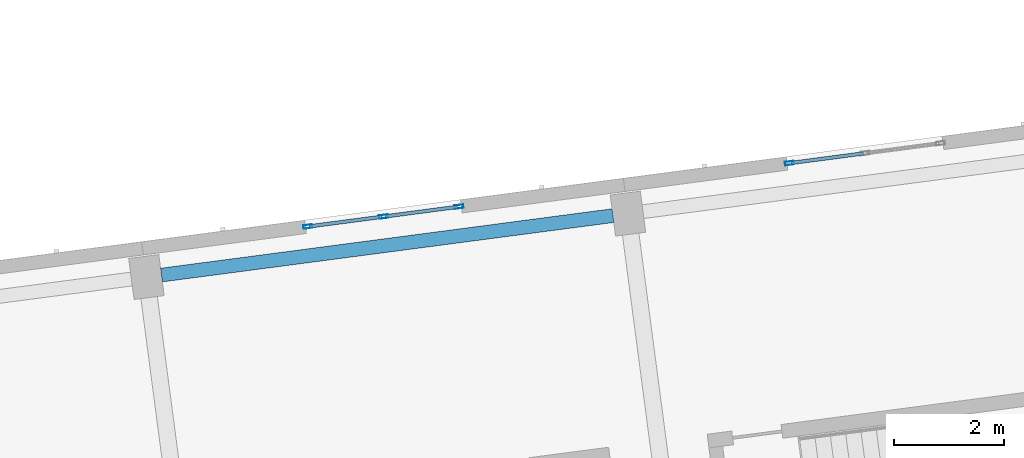
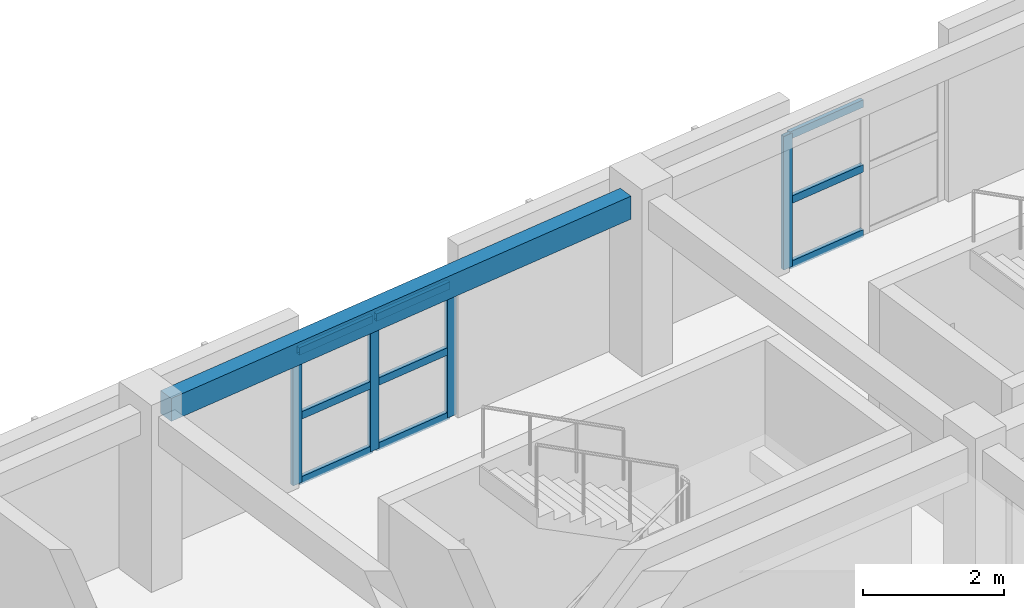
# One storey, part 3 of 68: 13 members, 1 beam, 2 elements without a shape of their own.
"""IFC4 building model written with IfcOpenShell, lengths in metres."""

import ifcopenshell
import ifcopenshell.guid

model = None  # the IFC model being written
_history = None  # IfcOwnerHistory: only IFC2X3 demands one
_inside = {}  # id of a spatial element -> (the spatial element, [elements in it])
_under = {}  # id of a project, library or spatial element -> (it, [spatial elements below it])
_declared = {}  # id of a project -> (the project, [libraries it declares])
_typed = {}  # id of a type object -> (the type object, [elements of that type])
_made_of = {}  # id of a material, layer set ... -> (it, [elements and type objects made of it])


def new_model(schema):
    """Start an empty IFC model of exactly this schema.

    Asked for "IFC4X3", IfcOpenShell would pick the latest addendum, in which some entities
    have other attributes; the version numbers below select the first issue.
    IFC2X3 requires an IfcOwnerHistory on every rooted entity: one is made here for all.
    """
    global model, _history
    if schema == "IFC4X3":
        model = ifcopenshell.file(schema_version=(4, 3, 0, 0))
    else:
        model = ifcopenshell.file(schema=schema)
    _inside.clear()
    _under.clear()
    _declared.clear()
    _typed.clear()
    _made_of.clear()
    _history = None
    if model.schema == "IFC2X3":
        org = make("IfcOrganization", Name="unknown")
        user = make(
            "IfcPersonAndOrganization",
            ThePerson=make("IfcPerson", FamilyName="unknown"),
            TheOrganization=org,
        )
        app = make(
            "IfcApplication",
            ApplicationDeveloper=org,
            Version="unknown",
            ApplicationFullName="unknown",
            ApplicationIdentifier="unknown",
        )
        _history = make(
            "IfcOwnerHistory",
            OwningUser=user,
            OwningApplication=app,
            ChangeAction="ADDED",
            CreationDate=0,
        )
    return model


def make(cls, **values):
    """One entity of the class cls with the attributes given. An attribute that is None is left unset."""
    return model.create_entity(
        cls, **{name: value for name, value in values.items() if value is not None}
    )


def rooted(cls, **values):
    """An entity with a GlobalId (a new one), such as an element, a storey or a relation."""
    return make(cls, GlobalId=ifcopenshell.guid.new(), OwnerHistory=_history, **values)


def si_unit(unit_type, name, prefix=None):
    """IfcSIUnit, for example si_unit("LENGTHUNIT", "METRE", prefix="MILLI")."""
    return make("IfcSIUnit", UnitType=unit_type, Prefix=prefix, Name=name)


def assignment(units):
    """IfcUnitAssignment: the units of a project."""
    return None if units is None else make("IfcUnitAssignment", Units=units)


def point(xyz):
    """IfcCartesianPoint."""
    return None if xyz is None else make("IfcCartesianPoint", Coordinates=xyz)


def direction(xyz):
    """IfcDirection."""
    return None if xyz is None else make("IfcDirection", DirectionRatios=xyz)


def frame(location, z_axis=None, x_axis=None):
    """IfcAxis2Placement3D, a coordinate frame: its origin and axes. An axis left out is left unset."""
    return make(
        "IfcAxis2Placement3D",
        Location=point(location),
        Axis=direction(z_axis),
        RefDirection=direction(x_axis),
    )


def frame_2d(location, x_axis=None):
    """IfcAxis2Placement2D, a coordinate frame in the plane: its origin and x axis."""
    return make(
        "IfcAxis2Placement2D", Location=point(location), RefDirection=direction(x_axis)
    )


def origin():
    """The frame at (0, 0, 0) with its axes left unset."""
    return frame((0.0, 0.0, 0.0))


def origin_2d():
    """The frame at (0, 0) in the plane with its x axis left unset."""
    return frame_2d((0.0, 0.0))


def place(relative_to, where):
    """IfcLocalPlacement: puts the frame where relative to a parent placement (None: the world)."""
    return make(
        "IfcLocalPlacement", PlacementRelTo=relative_to, RelativePlacement=where
    )


def context(
    kind, dimensions, precision=None, world=None, true_north=None, identifier=None
):
    """IfcGeometricRepresentationContext, for example the 3D "Model" context."""
    return make(
        "IfcGeometricRepresentationContext",
        ContextIdentifier=identifier,
        ContextType=kind,
        CoordinateSpaceDimension=dimensions,
        Precision=precision,
        WorldCoordinateSystem=world,
        TrueNorth=true_north,
    )


def subcontext(parent, identifier, kind, view, scale=None):
    """IfcGeometricRepresentationSubContext, for example "Body" below "Model"."""
    return make(
        "IfcGeometricRepresentationSubContext",
        ContextIdentifier=identifier,
        ContextType=kind,
        ParentContext=parent,
        TargetScale=scale,
        TargetView=view,
    )


def project(units=None, contexts=None):
    """IfcProject with its units and contexts."""
    return rooted(
        "IfcProject",
        Name="project",
        RepresentationContexts=contexts,
        UnitsInContext=assignment(units),
    )


def spatial(cls, under=None, at=None, **own):
    """A site, building, storey or space (cls), placed at a placement, below another one or the project."""
    s = rooted(cls, ObjectPlacement=at, **own)
    if under is not None:
        _under.setdefault(under.id(), (under, []))[1].append(s)
    return s


def profile(cls, at=None, kind="AREA", **sizes):
    """A parametric profile (cls). Its sizes go by their IFC names, for example OverallWidth=200.0."""
    return make(cls, ProfileType=kind, Position=at, **sizes)


def rectangle(**sizes):
    """IfcRectangleProfileDef."""
    return profile("IfcRectangleProfileDef", **sizes)


def hollow_rectangle(**sizes):
    """IfcRectangleHollowProfileDef."""
    return profile("IfcRectangleHollowProfileDef", **sizes)


def extrude(swept, where, along, depth):
    """IfcExtrudedAreaSolid: the profile swept, set in the frame where, extruded along a direction by depth."""
    return make(
        "IfcExtrudedAreaSolid",
        SweptArea=swept,
        Position=where,
        ExtrudedDirection=direction(along),
        Depth=depth,
    )


def shape(context_of_items, identifier, shape_type, items):
    """IfcShapeRepresentation: the items that make up one representation, for example the "Body"."""
    return make(
        "IfcShapeRepresentation",
        ContextOfItems=context_of_items,
        RepresentationIdentifier=identifier,
        RepresentationType=shape_type,
        Items=items,
    )


def material(Name=None, Category=None):
    """IfcMaterial."""
    return make("IfcMaterial", Name=Name, Category=Category)


def material_profile(
    of_material, cross_section, Name=None, Category=None, Priority=None
):
    """IfcMaterialProfile: a cross section and its material."""
    return make(
        "IfcMaterialProfile",
        Name=Name,
        Material=of_material,
        Profile=cross_section,
        Priority=Priority,
        Category=Category,
    )


def profile_set(profiles, Name=None, composite=None):
    """IfcMaterialProfileSet."""
    return make(
        "IfcMaterialProfileSet",
        Name=Name,
        MaterialProfiles=profiles,
        CompositeProfile=composite,
    )


def made_of(thing, what):
    """Note that an element or type object is made of a material, layer set ...; save() writes the relation."""
    if what is not None:
        _made_of.setdefault(what.id(), (what, []))[1].append(thing)
    return thing


def type_object(cls, material=None, **own):
    """A type object (cls), such as IfcWallType, which elements share."""
    return made_of(rooted(cls, **own), material)


def element(
    cls,
    number,
    at=None,
    inside=None,
    cuts=None,
    type_object=None,
    material=None,
    context=None,
    identifier="Body",
    shape_type=None,
    held_by="IfcProductDefinitionShape",
    body=None,
    shapes=None,
    **own,
):
    """One element of the class cls, such as IfcWall. Its Tag is "e" and its number.

    at: its placement. inside: the storey or other place that contains it. cuts: it is an
    opening in that element (IfcRelVoidsElement). A single representation is given by context,
    identifier, shape_type and body (its items); several are given by shapes. held_by: the class
    of the entity that holds the representations. save() writes the other relations.
    """
    e = rooted(cls, Tag="e%d" % number, ObjectPlacement=at, **own)
    if body is not None:
        shapes = [shape(context, identifier, shape_type, body)]
    if shapes is not None:
        e.Representation = make(held_by, Representations=shapes)
    if inside is not None:
        _inside.setdefault(inside.id(), (inside, []))[1].append(e)
    if cuts is not None:
        rooted(
            "IfcRelVoidsElement", RelatingBuildingElement=cuts, RelatedOpeningElement=e
        )
    if type_object is not None:
        _typed.setdefault(type_object.id(), (type_object, []))[1].append(e)
    return made_of(e, material)


def aggregate(whole, parts):
    """IfcRelAggregates: a whole, such as a stair, and the parts it consists of."""
    return rooted("IfcRelAggregates", RelatingObject=whole, RelatedObjects=parts)


def save(model, path):
    """Write the relations noted so far, then the file.

    IfcRelAggregates (storeys below a building ...), IfcRelContainedInSpatialStructure (elements
    in a storey), IfcRelDefinesByType, IfcRelAssociatesMaterial and IfcRelDeclares: one each for
    every whole, place, type object, material and project.
    """
    for whole, parts in _under.values():
        aggregate(whole, parts)
    for where, things in _inside.values():
        rooted(
            "IfcRelContainedInSpatialStructure",
            RelatedElements=things,
            RelatingStructure=where,
        )
    for kind, things in _typed.values():
        rooted("IfcRelDefinesByType", RelatedObjects=things, RelatingType=kind)
    for what, things in _made_of.values():
        rooted("IfcRelAssociatesMaterial", RelatedObjects=things, RelatingMaterial=what)
    for by, libraries in _declared.values():
        rooted("IfcRelDeclares", RelatingContext=by, RelatedDefinitions=libraries)
    model.write(path)


model = new_model("IFC4")

# Units and contexts
model_context = context("Model", 3, precision=1e-05, world=origin(), true_north=direction((0.0, 1.0)))
body_context = subcontext(model_context, "Body", "Model", "MODEL_VIEW")
ifc_project = project(units=[si_unit("LENGTHUNIT", "METRE"), si_unit("AREAUNIT", "SQUARE_METRE"), si_unit("VOLUMEUNIT", "CUBIC_METRE"), si_unit("PLANEANGLEUNIT", "RADIAN"), si_unit("MASSUNIT", "GRAM", prefix="KILO")], contexts=[model_context])

# Site, building, storey
site_placement = place(None, origin())
site = spatial("IfcSite", under=ifc_project, at=site_placement, CompositionType="ELEMENT")
building_placement = place(site_placement, origin())
building = spatial("IfcBuilding", under=site, at=building_placement, Name="Kestramere Prow Commons", CompositionType="ELEMENT")
storey_placement = place(building_placement, frame((0.0, 0.0, 18.14990234375)))
storey = spatial("IfcBuildingStorey", under=building, at=storey_placement, Name="L05", CompositionType="ELEMENT", Elevation=18.14990234375)

# Curtain wall, members
ifc_material_1 = material(Name="Anodised Aluminium and Low-E Glass", Category="aluminium")
curtain_wall_type = type_object("IfcCurtainWallType", Name="CW-03 Glazed Curtain Wall 2830x2320", PredefinedType="USERDEFINED", material=ifc_material_1)
curtain_wall_1_placement = place(storey_placement, origin())
curtain_wall_1 = element("IfcCurtainWall", 1, at=curtain_wall_1_placement, inside=storey, type_object=curtain_wall_type, Name="Block A L05 Stairwell Vertical Glazing 2", ObjectType="GLAZED CURTAIN WALL", PredefinedType="USERDEFINED")
ifc_material_2 = material(Name="Anodised Aluminium 6063-T6", Category="aluminium")
ifc_material_profile_1 = material_profile(ifc_material_2, hollow_rectangle(XDim=0.06494140625, YDim=0.159912109375, WallThickness=0.00390625, at=origin_2d()), Name="ALU-MUL 65x160")
ifc_profile_set_1 = profile_set([ifc_material_profile_1], Name="Anodised Aluminium 6063-T6")
member_type_1 = type_object("IfcMemberType", Name="CW-MUL-65x160", PredefinedType="MULLION", material=ifc_profile_set_1)
member_1_placement = place(storey_placement, frame((20.2373046875, 93.891845703125, 0.0), z_axis=(0.0, 0.0, 1.0), x_axis=(-0.13052614723, 0.991444867297, 0.0)))
member_1 = element("IfcMember", 2, at=member_1_placement, type_object=member_type_1, Name="CW-03 mullion 1", PredefinedType="MULLION", context=body_context, shape_type="SweptSolid", body=[
    extrude(hollow_rectangle(XDim=0.06494140625, YDim=0.159912109375, WallThickness=0.00390625, at=origin_2d()), origin(), (0.0, 0.0, 1.0), 2.320068359375),
])
member_2_placement = place(storey_placement, frame((21.60791015625, 94.072265625, 0.0), z_axis=(0.0, 0.0, 1.0), x_axis=(-0.13052614723, 0.991444867297, 0.0)))
member_2 = element("IfcMember", 3, at=member_2_placement, type_object=member_type_1, Name="CW-03 mullion 2", PredefinedType="MULLION", context=body_context, shape_type="SweptSolid", body=[
    extrude(hollow_rectangle(XDim=0.06494140625, YDim=0.159912109375, WallThickness=0.00390625, at=origin_2d()), origin(), (0.0, 0.0, 1.0), 2.320068359375),
])
member_3_placement = place(storey_placement, frame((22.978759765625, 94.252685546875, 0.0), z_axis=(0.0, 0.0, 1.0), x_axis=(-0.13052614723, 0.991444867297, 0.0)))
member_3 = element("IfcMember", 4, at=member_3_placement, type_object=member_type_1, Name="CW-03 mullion 3", PredefinedType="MULLION", context=body_context, shape_type="SweptSolid", body=[
    extrude(hollow_rectangle(XDim=0.06494140625, YDim=0.159912109375, WallThickness=0.00390625, at=origin_2d()), origin(), (0.0, 0.0, 1.0), 2.320068359375),
])

# Curtain wall, member
curtain_wall_2_placement = place(storey_placement, origin())
curtain_wall_2 = element("IfcCurtainWall", 5, at=curtain_wall_2_placement, inside=storey, type_object=curtain_wall_type, Name="Block A L05 Stairwell Vertical Glazing 3", ObjectType="GLAZED CURTAIN WALL", PredefinedType="USERDEFINED")
member_4_placement = place(storey_placement, frame((28.962158203125, 95.04052734375, 0.0), z_axis=(0.0, 0.0, 1.0), x_axis=(-0.130526494555, 0.991444821571, 0.0)))
member_4 = element("IfcMember", 6, at=member_4_placement, type_object=member_type_1, Name="CW-03 mullion 1", PredefinedType="MULLION", context=body_context, shape_type="SweptSolid", body=[
    extrude(hollow_rectangle(XDim=0.06494140625, YDim=0.159912109375, WallThickness=0.00390625, at=origin_2d()), origin(), (0.0, 0.0, 1.0), 2.320068359375),
])

# Member
ifc_material_profile_2 = material_profile(ifc_material_2, hollow_rectangle(XDim=0.06494140625, YDim=0.1298828125, WallThickness=0.00390625, at=origin_2d()), Name="ALU-TRN 65x130")
ifc_profile_set_2 = profile_set([ifc_material_profile_2], Name="Anodised Aluminium 6063-T6")
member_type_2 = type_object("IfcMemberType", Name="CW-TRN-65x130", PredefinedType="USERDEFINED", material=ifc_profile_set_2)
member_5_placement = place(storey_placement, frame((20.26953125, 93.896240234375, 0.03271484375), z_axis=(0.991453033969, 0.130464100171, 0.0), x_axis=(-0.130464100171, 0.991453033969, 0.0)))
member_5 = element("IfcMember", 7, at=member_5_placement, type_object=member_type_2, Name="CW-03 transom 1.1", ObjectType="TRANSOM", PredefinedType="USERDEFINED", context=body_context, shape_type="SweptSolid", body=[
    extrude(hollow_rectangle(XDim=0.06494140625, YDim=0.1298828125, WallThickness=0.00390625, at=origin_2d()), origin(), (0.0, 0.0, 1.0), 1.3173828125),
])

member_6_placement = place(storey_placement, frame((20.26953125, 93.896240234375, 1.16015625), z_axis=(0.991453033969, 0.130464100171, 0.0), x_axis=(-0.130464100171, 0.991453033969, 0.0)))
member_6 = element("IfcMember", 8, at=member_6_placement, type_object=member_type_2, Name="CW-03 transom 1.2", ObjectType="TRANSOM", PredefinedType="USERDEFINED", context=body_context, shape_type="SweptSolid", body=[
    extrude(hollow_rectangle(XDim=0.06494140625, YDim=0.1298828125, WallThickness=0.00390625, at=origin_2d()), origin(), (0.0, 0.0, 1.0), 1.3173828125),
])

member_7_placement = place(storey_placement, frame((20.26953125, 93.896240234375, 2.28759765625), z_axis=(0.991453033969, 0.130464100171, 0.0), x_axis=(-0.130464100171, 0.991453033969, 0.0)))
member_7 = element("IfcMember", 9, at=member_7_placement, type_object=member_type_2, Name="CW-03 transom 1.3", ObjectType="TRANSOM", PredefinedType="USERDEFINED", context=body_context, shape_type="SweptSolid", body=[
    extrude(hollow_rectangle(XDim=0.06494140625, YDim=0.1298828125, WallThickness=0.00390625, at=origin_2d()), origin(), (0.0, 0.0, 1.0), 1.3173828125),
])

member_8_placement = place(storey_placement, frame((21.64013671875, 94.07666015625, 0.03271484375), z_axis=(0.991456187381, 0.130440133791, 0.0), x_axis=(-0.130440133791, 0.991456187381, 0.0)))
member_8 = element("IfcMember", 10, at=member_8_placement, type_object=member_type_2, Name="CW-03 transom 2.1", ObjectType="TRANSOM", PredefinedType="USERDEFINED", context=body_context, shape_type="SweptSolid", body=[
    extrude(hollow_rectangle(XDim=0.06494140625, YDim=0.1298828125, WallThickness=0.00390625, at=origin_2d()), origin(), (0.0, 0.0, 1.0), 1.317626953125),
])

member_9_placement = place(storey_placement, frame((21.64013671875, 94.07666015625, 1.16015625), z_axis=(0.991456187381, 0.130440133791, 0.0), x_axis=(-0.130440133791, 0.991456187381, 0.0)))
member_9 = element("IfcMember", 11, at=member_9_placement, type_object=member_type_2, Name="CW-03 transom 2.2", ObjectType="TRANSOM", PredefinedType="USERDEFINED", context=body_context, shape_type="SweptSolid", body=[
    extrude(hollow_rectangle(XDim=0.06494140625, YDim=0.1298828125, WallThickness=0.00390625, at=origin_2d()), origin(), (0.0, 0.0, 1.0), 1.317626953125),
])

member_10_placement = place(storey_placement, frame((21.64013671875, 94.07666015625, 2.28759765625), z_axis=(0.991456187381, 0.130440133791, 0.0), x_axis=(-0.130440133791, 0.991456187381, 0.0)))
member_10 = element("IfcMember", 12, at=member_10_placement, type_object=member_type_2, Name="CW-03 transom 2.3", ObjectType="TRANSOM", PredefinedType="USERDEFINED", context=body_context, shape_type="SweptSolid", body=[
    extrude(hollow_rectangle(XDim=0.06494140625, YDim=0.1298828125, WallThickness=0.00390625, at=origin_2d()), origin(), (0.0, 0.0, 1.0), 1.317626953125),
])

aggregate(curtain_wall_1, [member_1, member_2, member_3, member_5, member_6, member_7, member_8, member_9, member_10])

member_11_placement = place(storey_placement, frame((28.994384765625, 95.044677734375, 0.03271484375), z_axis=(0.99142904707, 0.130646257605, 0.0), x_axis=(-0.130646257605, 0.99142904707, 0.0)))
member_11 = element("IfcMember", 13, at=member_11_placement, type_object=member_type_2, Name="CW-03 transom 1.1", ObjectType="TRANSOM", PredefinedType="USERDEFINED", context=body_context, shape_type="SweptSolid", body=[
    extrude(hollow_rectangle(XDim=0.06494140625, YDim=0.1298828125, WallThickness=0.00390625, at=origin_2d()), origin(), (0.0, 0.0, 1.0), 1.3173828125),
])

member_12_placement = place(storey_placement, frame((28.994384765625, 95.044677734375, 1.16015625), z_axis=(0.99142904707, 0.130646257605, 0.0), x_axis=(-0.130646257605, 0.99142904707, 0.0)))
member_12 = element("IfcMember", 14, at=member_12_placement, type_object=member_type_2, Name="CW-03 transom 1.2", ObjectType="TRANSOM", PredefinedType="USERDEFINED", context=body_context, shape_type="SweptSolid", body=[
    extrude(hollow_rectangle(XDim=0.06494140625, YDim=0.1298828125, WallThickness=0.00390625, at=origin_2d()), origin(), (0.0, 0.0, 1.0), 1.3173828125),
])

member_13_placement = place(storey_placement, frame((28.994384765625, 95.044677734375, 2.28759765625), z_axis=(0.99142904707, 0.130646257605, 0.0), x_axis=(-0.130646257605, 0.99142904707, 0.0)))
member_13 = element("IfcMember", 15, at=member_13_placement, type_object=member_type_2, Name="CW-03 transom 1.3", ObjectType="TRANSOM", PredefinedType="USERDEFINED", context=body_context, shape_type="SweptSolid", body=[
    extrude(hollow_rectangle(XDim=0.06494140625, YDim=0.1298828125, WallThickness=0.00390625, at=origin_2d()), origin(), (0.0, 0.0, 1.0), 1.3173828125),
])

aggregate(curtain_wall_2, [member_4, member_11, member_12, member_13])

# Beam
ifc_material_3 = material(Name="Precast concrete C40/50", Category="concrete")
ifc_material_profile_3 = material_profile(ifc_material_3, rectangle(XDim=0.25, YDim=0.39990234375, at=origin_2d()), Name="PC-SP 250x400")
ifc_profile_set_3 = profile_set([ifc_material_profile_3], Name="Precast concrete C40/50")
beam_type = type_object("IfcBeamType", Name="SP-EXT-01 PC-SP 250x400", PredefinedType="SPANDREL", material=ifc_profile_set_3)
beam_placement = place(storey_placement, frame((17.5869140625, 93.013427734375, 2.800048828125), z_axis=(0.991443917843, 0.130533358852, 0.0), x_axis=(-0.130533358852, 0.991443917843, 0.0)))
element("IfcBeam", 16, at=beam_placement, inside=storey, type_object=beam_type, Name="Block A L05 Longitudinal Beam 4-2", PredefinedType="SPANDREL", context=body_context, shape_type="SweptSolid", body=[
    extrude(rectangle(XDim=0.25, YDim=0.39990234375, at=origin_2d()), origin(), (0.0, 0.0, 1.0), 8.25),
])

save(model, "model.ifc")
